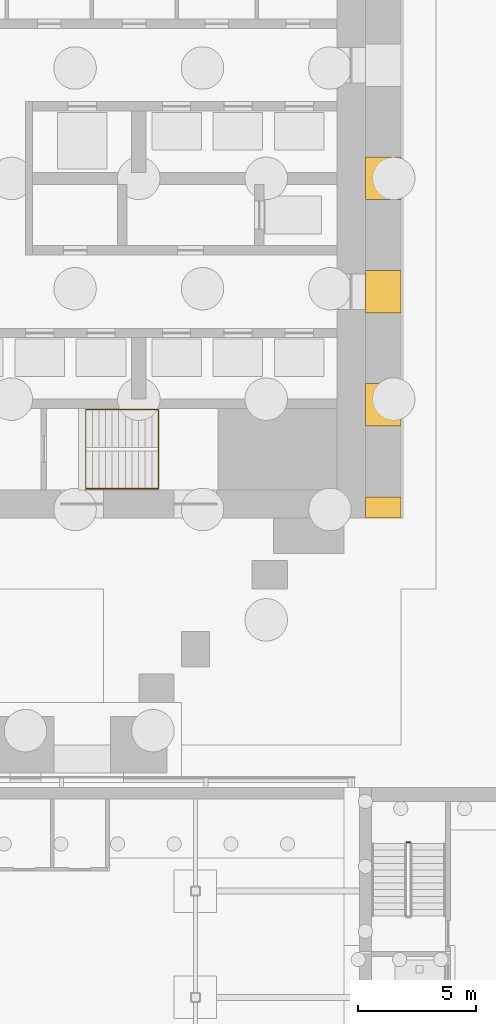
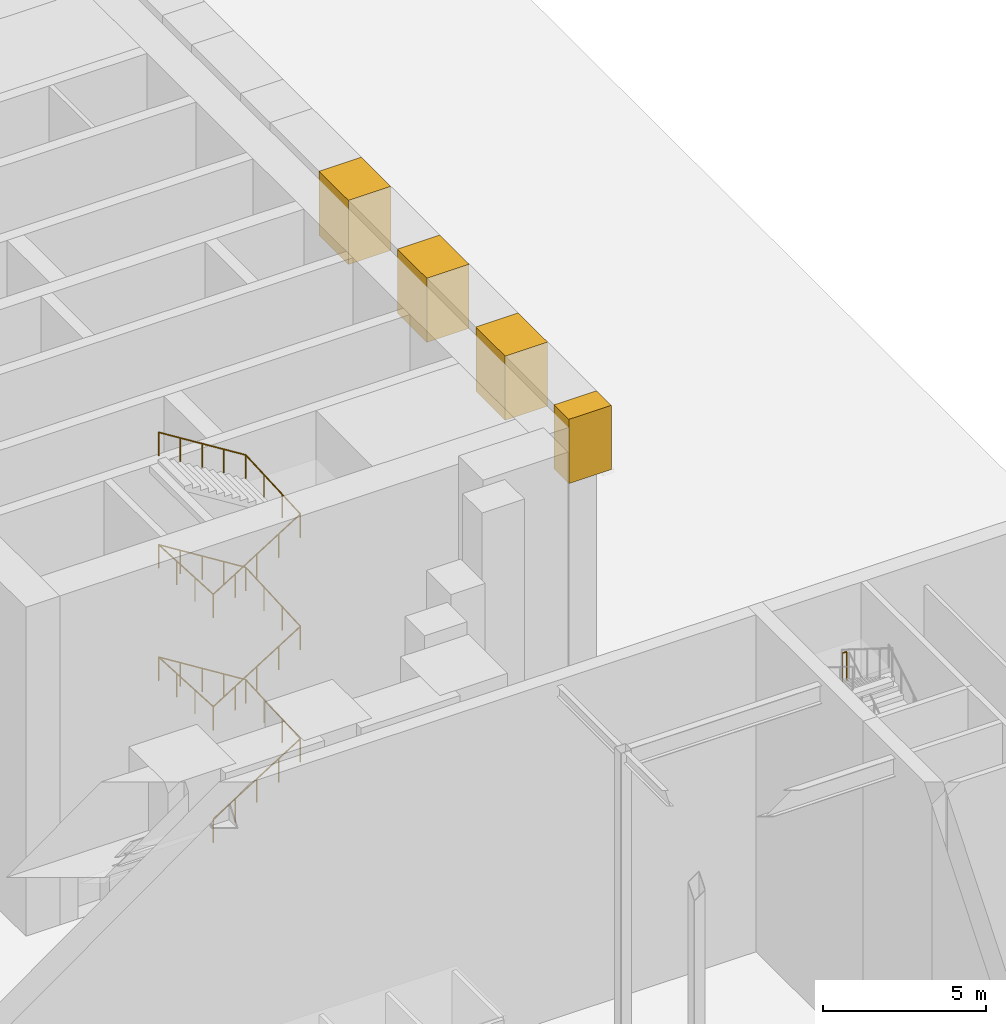
# One storey, part 56 of 58: 4 coverings, 2 railings.
"""IFC4 building model written with IfcOpenShell, lengths in metres."""

import ifcopenshell
import ifcopenshell.guid

model = None  # the IFC model being written
_history = None  # IfcOwnerHistory: only IFC2X3 demands one
_inside = {}  # id of a spatial element -> (the spatial element, [elements in it])
_under = {}  # id of a project, library or spatial element -> (it, [spatial elements below it])
_declared = {}  # id of a project -> (the project, [libraries it declares])
_typed = {}  # id of a type object -> (the type object, [elements of that type])
_made_of = {}  # id of a material, layer set ... -> (it, [elements and type objects made of it])


def new_model(schema):
    """Start an empty IFC model of exactly this schema.

    Asked for "IFC4X3", IfcOpenShell would pick the latest addendum, in which some entities
    have other attributes; the version numbers below select the first issue.
    IFC2X3 requires an IfcOwnerHistory on every rooted entity: one is made here for all.
    """
    global model, _history
    if schema == "IFC4X3":
        model = ifcopenshell.file(schema_version=(4, 3, 0, 0))
    else:
        model = ifcopenshell.file(schema=schema)
    _inside.clear()
    _under.clear()
    _declared.clear()
    _typed.clear()
    _made_of.clear()
    _history = None
    if model.schema == "IFC2X3":
        org = make("IfcOrganization", Name="unknown")
        user = make(
            "IfcPersonAndOrganization",
            ThePerson=make("IfcPerson", FamilyName="unknown"),
            TheOrganization=org,
        )
        app = make(
            "IfcApplication",
            ApplicationDeveloper=org,
            Version="unknown",
            ApplicationFullName="unknown",
            ApplicationIdentifier="unknown",
        )
        _history = make(
            "IfcOwnerHistory",
            OwningUser=user,
            OwningApplication=app,
            ChangeAction="ADDED",
            CreationDate=0,
        )
    return model


def make(cls, **values):
    """One entity of the class cls with the attributes given. An attribute that is None is left unset."""
    return model.create_entity(
        cls, **{name: value for name, value in values.items() if value is not None}
    )


def rooted(cls, **values):
    """An entity with a GlobalId (a new one), such as an element, a storey or a relation."""
    return make(cls, GlobalId=ifcopenshell.guid.new(), OwnerHistory=_history, **values)


def si_unit(unit_type, name, prefix=None):
    """IfcSIUnit, for example si_unit("LENGTHUNIT", "METRE", prefix="MILLI")."""
    return make("IfcSIUnit", UnitType=unit_type, Prefix=prefix, Name=name)


def assignment(units):
    """IfcUnitAssignment: the units of a project."""
    return None if units is None else make("IfcUnitAssignment", Units=units)


def point(xyz):
    """IfcCartesianPoint."""
    return None if xyz is None else make("IfcCartesianPoint", Coordinates=xyz)


def direction(xyz):
    """IfcDirection."""
    return None if xyz is None else make("IfcDirection", DirectionRatios=xyz)


def frame(location, z_axis=None, x_axis=None):
    """IfcAxis2Placement3D, a coordinate frame: its origin and axes. An axis left out is left unset."""
    return make(
        "IfcAxis2Placement3D",
        Location=point(location),
        Axis=direction(z_axis),
        RefDirection=direction(x_axis),
    )


def frame_2d(location, x_axis=None):
    """IfcAxis2Placement2D, a coordinate frame in the plane: its origin and x axis."""
    return make(
        "IfcAxis2Placement2D", Location=point(location), RefDirection=direction(x_axis)
    )


def origin():
    """The frame at (0, 0, 0) with its axes left unset."""
    return frame((0.0, 0.0, 0.0))


def origin_2d():
    """The frame at (0, 0) in the plane with its x axis left unset."""
    return frame_2d((0.0, 0.0))


def place(relative_to, where):
    """IfcLocalPlacement: puts the frame where relative to a parent placement (None: the world)."""
    return make(
        "IfcLocalPlacement", PlacementRelTo=relative_to, RelativePlacement=where
    )


def context(
    kind, dimensions, precision=None, world=None, true_north=None, identifier=None
):
    """IfcGeometricRepresentationContext, for example the 3D "Model" context."""
    return make(
        "IfcGeometricRepresentationContext",
        ContextIdentifier=identifier,
        ContextType=kind,
        CoordinateSpaceDimension=dimensions,
        Precision=precision,
        WorldCoordinateSystem=world,
        TrueNorth=true_north,
    )


def subcontext(parent, identifier, kind, view, scale=None):
    """IfcGeometricRepresentationSubContext, for example "Body" below "Model"."""
    return make(
        "IfcGeometricRepresentationSubContext",
        ContextIdentifier=identifier,
        ContextType=kind,
        ParentContext=parent,
        TargetScale=scale,
        TargetView=view,
    )


def project(units=None, contexts=None):
    """IfcProject with its units and contexts."""
    return rooted(
        "IfcProject",
        Name="project",
        RepresentationContexts=contexts,
        UnitsInContext=assignment(units),
    )


def spatial(cls, under=None, at=None, **own):
    """A site, building, storey or space (cls), placed at a placement, below another one or the project."""
    s = rooted(cls, ObjectPlacement=at, **own)
    if under is not None:
        _under.setdefault(under.id(), (under, []))[1].append(s)
    return s


def polyline(points):
    """IfcPolyline through the points."""
    return make("IfcPolyline", Points=[point(p) for p in points])


def profile(cls, at=None, kind="AREA", **sizes):
    """A parametric profile (cls). Its sizes go by their IFC names, for example OverallWidth=200.0."""
    return make(cls, ProfileType=kind, Position=at, **sizes)


def circle(**sizes):
    """IfcCircleProfileDef."""
    return profile("IfcCircleProfileDef", **sizes)


def outline(outer, holes=None, kind="AREA"):
    """IfcArbitraryClosedProfileDef: a profile drawn as a closed curve; with holes, ...WithVoids."""
    if holes is None:
        return make("IfcArbitraryClosedProfileDef", ProfileType=kind, OuterCurve=outer)
    return make(
        "IfcArbitraryProfileDefWithVoids",
        ProfileType=kind,
        OuterCurve=outer,
        InnerCurves=holes,
    )


def extrude(swept, where, along, depth):
    """IfcExtrudedAreaSolid: the profile swept, set in the frame where, extruded along a direction by depth."""
    return make(
        "IfcExtrudedAreaSolid",
        SweptArea=swept,
        Position=where,
        ExtrudedDirection=direction(along),
        Depth=depth,
    )


def shape(context_of_items, identifier, shape_type, items):
    """IfcShapeRepresentation: the items that make up one representation, for example the "Body"."""
    return make(
        "IfcShapeRepresentation",
        ContextOfItems=context_of_items,
        RepresentationIdentifier=identifier,
        RepresentationType=shape_type,
        Items=items,
    )


def material(Name=None, Category=None):
    """IfcMaterial."""
    return make("IfcMaterial", Name=Name, Category=Category)


def made_of(thing, what):
    """Note that an element or type object is made of a material, layer set ...; save() writes the relation."""
    if what is not None:
        _made_of.setdefault(what.id(), (what, []))[1].append(thing)
    return thing


def type_object(cls, material=None, **own):
    """A type object (cls), such as IfcWallType, which elements share."""
    return made_of(rooted(cls, **own), material)


def element(
    cls,
    number,
    at=None,
    inside=None,
    cuts=None,
    type_object=None,
    material=None,
    context=None,
    identifier="Body",
    shape_type=None,
    held_by="IfcProductDefinitionShape",
    body=None,
    shapes=None,
    **own,
):
    """One element of the class cls, such as IfcWall. Its Tag is "e" and its number.

    at: its placement. inside: the storey or other place that contains it. cuts: it is an
    opening in that element (IfcRelVoidsElement). A single representation is given by context,
    identifier, shape_type and body (its items); several are given by shapes. held_by: the class
    of the entity that holds the representations. save() writes the other relations.
    """
    e = rooted(cls, Tag="e%d" % number, ObjectPlacement=at, **own)
    if body is not None:
        shapes = [shape(context, identifier, shape_type, body)]
    if shapes is not None:
        e.Representation = make(held_by, Representations=shapes)
    if inside is not None:
        _inside.setdefault(inside.id(), (inside, []))[1].append(e)
    if cuts is not None:
        rooted(
            "IfcRelVoidsElement", RelatingBuildingElement=cuts, RelatedOpeningElement=e
        )
    if type_object is not None:
        _typed.setdefault(type_object.id(), (type_object, []))[1].append(e)
    return made_of(e, material)


def aggregate(whole, parts):
    """IfcRelAggregates: a whole, such as a stair, and the parts it consists of."""
    return rooted("IfcRelAggregates", RelatingObject=whole, RelatedObjects=parts)


def save(model, path):
    """Write the relations noted so far, then the file.

    IfcRelAggregates (storeys below a building ...), IfcRelContainedInSpatialStructure (elements
    in a storey), IfcRelDefinesByType, IfcRelAssociatesMaterial and IfcRelDeclares: one each for
    every whole, place, type object, material and project.
    """
    for whole, parts in _under.values():
        aggregate(whole, parts)
    for where, things in _inside.values():
        rooted(
            "IfcRelContainedInSpatialStructure",
            RelatedElements=things,
            RelatingStructure=where,
        )
    for kind, things in _typed.values():
        rooted("IfcRelDefinesByType", RelatedObjects=things, RelatingType=kind)
    for what, things in _made_of.values():
        rooted("IfcRelAssociatesMaterial", RelatedObjects=things, RelatingMaterial=what)
    for by, libraries in _declared.values():
        rooted("IfcRelDeclares", RelatingContext=by, RelatedDefinitions=libraries)
    model.write(path)


model = new_model("IFC4")

# Units and contexts
model_context = context("Model", 3, precision=1e-05, world=origin(), true_north=direction((0.0, 1.0)))
body_context = subcontext(model_context, "Body", "Model", "MODEL_VIEW")
ifc_project = project(units=[si_unit("LENGTHUNIT", "METRE"), si_unit("AREAUNIT", "SQUARE_METRE"), si_unit("VOLUMEUNIT", "CUBIC_METRE"), si_unit("PLANEANGLEUNIT", "RADIAN"), si_unit("MASSUNIT", "GRAM", prefix="KILO")], contexts=[model_context])

# Site, building, storey
site_placement = place(None, origin())
site = spatial("IfcSite", under=ifc_project, at=site_placement, CompositionType="ELEMENT")
building_placement = place(site_placement, origin())
building = spatial("IfcBuilding", under=site, at=building_placement, Name="Baori Bourse Tower", CompositionType="ELEMENT")
storey_placement = place(building_placement, origin())
storey = spatial("IfcBuildingStorey", under=building, at=storey_placement, Name="L00", CompositionType="ELEMENT", Elevation=0.0)

# Railing
ifc_material_1 = material(Name="Powder-coated steel balustrade", Category="steel")
railing_type_1 = type_object("IfcRailingType", Name="Core stair handrail", PredefinedType="HANDRAIL", material=ifc_material_1)
railing_1_placement = place(storey_placement, frame((45.75, 10.85009765625, 0.175048828125)))
element("IfcRailing", 1, at=railing_1_placement, inside=storey, type_object=railing_type_1, Name="L00 ST3 stair handrail 1", PredefinedType="HANDRAIL", context=body_context, shape_type="SweptSolid", body=[
    extrude(circle(Radius=0.02392578125, at=origin_2d()), frame((0.0, 0.0, 0.8759765625), z_axis=(0.847998304005, 0.0, 0.529998940003), x_axis=(0.0, 1.0, 0.0)), (0.0, 0.0, 1.0), 3.632080078125),
    extrude(circle(Radius=0.02392578125, at=origin_2d()), frame((3.080078125, 0.0, 2.80078125), z_axis=(0.0, 0.998641252765, 0.052111882296), x_axis=(-1.0, 0.0, 0.0)), (0.0, 0.0, 1.0), 3.3544921875),
    extrude(circle(Radius=0.02392578125, at=origin_2d()), frame((3.080078125, 3.349853515625, 2.9755859375), z_axis=(-0.847998304005, 0.0, 0.529998940003), x_axis=(0.0, -1.0, 0.0)), (0.0, 0.0, 1.0), 3.632080078125),
    extrude(circle(Radius=0.02392578125, at=origin_2d()), frame((0.0, 3.349853515625, 4.90087890625), z_axis=(0.0, -0.99863746249, 0.052184466191), x_axis=(1.0, 0.0, 0.0)), (0.0, 0.0, 1.0), 3.3544921875),
    extrude(circle(Radius=0.02392578125, at=origin_2d()), frame((0.0, 0.0, 5.07568359375), z_axis=(0.847998304005, 0.0, 0.529998940003), x_axis=(0.0, 1.0, 0.0)), (0.0, 0.0, 1.0), 3.632080078125),
    extrude(circle(Radius=0.02392578125, at=origin_2d()), frame((3.080078125, 0.0, 7.0009765625), z_axis=(0.0, 0.99863746249, 0.052184466191), x_axis=(-1.0, 0.0, 0.0)), (0.0, 0.0, 1.0), 3.3544921875),
    extrude(circle(Radius=0.02392578125, at=origin_2d()), frame((3.080078125, 3.349853515625, 7.17578125), z_axis=(-0.848028513186, 0.0, 0.529950602248), x_axis=(0.0, -1.0, 0.0)), (0.0, 0.0, 1.0), 3.632080078125),
    extrude(circle(Radius=0.02392578125, at=origin_2d()), frame((0.0, 3.349853515625, 9.1005859375), z_axis=(0.0, -0.99863746249, 0.052184466191), x_axis=(1.0, 0.0, 0.0)), (0.0, 0.0, 1.0), 3.3544921875),
    extrude(circle(Radius=0.02392578125, at=origin_2d()), frame((0.0, 0.0, 9.27587890625), z_axis=(0.847998304005, 0.0, 0.529998940003), x_axis=(0.0, 1.0, 0.0)), (0.0, 0.0, 1.0), 3.632080078125),
    extrude(circle(Radius=0.02392578125, at=origin_2d()), frame((3.080078125, 0.0, 11.20068359375), z_axis=(0.0, 0.99863746249, 0.052184466191), x_axis=(-1.0, 0.0, 0.0)), (0.0, 0.0, 1.0), 3.3544921875),
    extrude(circle(Radius=0.02392578125, at=origin_2d()), frame((3.080078125, 3.349853515625, 11.3759765625), z_axis=(-0.847998304005, 0.0, 0.529998940003), x_axis=(0.0, -1.0, 0.0)), (0.0, 0.0, 1.0), 3.632080078125),
    extrude(circle(Radius=0.02099609375, at=origin_2d()), origin(), (0.0, 0.0, 1.0), 0.851806640625),
    extrude(circle(Radius=0.02099609375, at=origin_2d()), frame((0.77001953125, 0.0, 0.481201171875)), (0.0, 0.0, 1.0), 0.851806640625),
    extrude(circle(Radius=0.02099609375, at=origin_2d()), frame((1.5400390625, 0.0, 0.96240234375)), (0.0, 0.0, 1.0), 0.851806640625),
    extrude(circle(Radius=0.02099609375, at=origin_2d()), frame((2.31005859375, 0.0, 1.44384765625)), (0.0, 0.0, 1.0), 0.851806640625),
    extrude(circle(Radius=0.02099609375, at=origin_2d()), frame((3.080078125, 0.0, 1.925048828125)), (0.0, 0.0, 1.0), 0.851806640625),
    extrude(circle(Radius=0.02099609375, at=origin_2d()), frame((3.080078125, 1.11669921875, 1.9833984375)), (0.0, 0.0, 1.0), 0.851806640625),
    extrude(circle(Radius=0.02099609375, at=origin_2d()), frame((3.080078125, 2.233154296875, 2.04150390625)), (0.0, 0.0, 1.0), 0.851806640625),
    extrude(circle(Radius=0.02099609375, at=origin_2d()), frame((3.080078125, 3.349853515625, 2.099853515625)), (0.0, 0.0, 1.0), 0.851806640625),
    extrude(circle(Radius=0.02099609375, at=origin_2d()), frame((2.31005859375, 3.349853515625, 2.5810546875)), (0.0, 0.0, 1.0), 0.851806640625),
    extrude(circle(Radius=0.02099609375, at=origin_2d()), frame((1.5400390625, 3.349853515625, 3.0625)), (0.0, 0.0, 1.0), 0.851806640625),
    extrude(circle(Radius=0.02099609375, at=origin_2d()), frame((0.77001953125, 3.349853515625, 3.543701171875)), (0.0, 0.0, 1.0), 0.851806640625),
    extrude(circle(Radius=0.02099609375, at=origin_2d()), frame((0.0, 3.349853515625, 4.02490234375)), (0.0, 0.0, 1.0), 0.851806640625),
    extrude(circle(Radius=0.02099609375, at=origin_2d()), frame((0.0, 2.233154296875, 4.083251953125)), (0.0, 0.0, 1.0), 0.851806640625),
    extrude(circle(Radius=0.02099609375, at=origin_2d()), frame((0.0, 1.11669921875, 4.1416015625)), (0.0, 0.0, 1.0), 0.851806640625),
    extrude(circle(Radius=0.02099609375, at=origin_2d()), frame((0.0, 0.0, 4.199951171875)), (0.0, 0.0, 1.0), 0.851806640625),
    extrude(circle(Radius=0.02099609375, at=origin_2d()), frame((0.77001953125, 0.0, 4.68115234375)), (0.0, 0.0, 1.0), 0.851806640625),
    extrude(circle(Radius=0.02099609375, at=origin_2d()), frame((1.5400390625, 0.0, 5.16259765625)), (0.0, 0.0, 1.0), 0.851806640625),
    extrude(circle(Radius=0.02099609375, at=origin_2d()), frame((2.31005859375, 0.0, 5.643798828125)), (0.0, 0.0, 1.0), 0.851806640625),
    extrude(circle(Radius=0.02099609375, at=origin_2d()), frame((3.080078125, 0.0, 6.125)), (0.0, 0.0, 1.0), 0.851806640625),
    extrude(circle(Radius=0.02099609375, at=origin_2d()), frame((3.080078125, 1.11669921875, 6.183349609375)), (0.0, 0.0, 1.0), 0.851806640625),
    extrude(circle(Radius=0.02099609375, at=origin_2d()), frame((3.080078125, 2.233154296875, 6.24169921875)), (0.0, 0.0, 1.0), 0.851806640625),
    extrude(circle(Radius=0.02099609375, at=origin_2d()), frame((3.080078125, 3.349853515625, 6.300048828125)), (0.0, 0.0, 1.0), 0.851806640625),
    extrude(circle(Radius=0.02099609375, at=origin_2d()), frame((2.31005859375, 3.349853515625, 6.78125)), (0.0, 0.0, 1.0), 0.851806640625),
    extrude(circle(Radius=0.02099609375, at=origin_2d()), frame((1.5400390625, 3.349853515625, 7.262451171875)), (0.0, 0.0, 1.0), 0.851806640625),
    extrude(circle(Radius=0.02099609375, at=origin_2d()), frame((0.77001953125, 3.349853515625, 7.74365234375)), (0.0, 0.0, 1.0), 0.851806640625),
    extrude(circle(Radius=0.02099609375, at=origin_2d()), frame((0.0, 3.349853515625, 8.224853515625)), (0.0, 0.0, 1.0), 0.851806640625),
    extrude(circle(Radius=0.02099609375, at=origin_2d()), frame((0.0, 2.233154296875, 8.283203125)), (0.0, 0.0, 1.0), 0.851806640625),
    extrude(circle(Radius=0.02099609375, at=origin_2d()), frame((0.0, 1.11669921875, 8.341552734375)), (0.0, 0.0, 1.0), 0.851806640625),
    extrude(circle(Radius=0.02099609375, at=origin_2d()), frame((0.0, 0.0, 8.39990234375)), (0.0, 0.0, 1.0), 0.851806640625),
    extrude(circle(Radius=0.02099609375, at=origin_2d()), frame((0.77001953125, 0.0, 8.881103515625)), (0.0, 0.0, 1.0), 0.851806640625),
    extrude(circle(Radius=0.02099609375, at=origin_2d()), frame((1.5400390625, 0.0, 9.3623046875)), (0.0, 0.0, 1.0), 0.851806640625),
    extrude(circle(Radius=0.02099609375, at=origin_2d()), frame((2.31005859375, 0.0, 9.84375)), (0.0, 0.0, 1.0), 0.851806640625),
    extrude(circle(Radius=0.02099609375, at=origin_2d()), frame((3.080078125, 0.0, 10.324951171875)), (0.0, 0.0, 1.0), 0.851806640625),
    extrude(circle(Radius=0.02099609375, at=origin_2d()), frame((3.080078125, 1.11669921875, 10.38330078125)), (0.0, 0.0, 1.0), 0.851806640625),
    extrude(circle(Radius=0.02099609375, at=origin_2d()), frame((3.080078125, 2.233154296875, 10.441650390625)), (0.0, 0.0, 1.0), 0.851806640625),
    extrude(circle(Radius=0.02099609375, at=origin_2d()), frame((3.080078125, 3.349853515625, 10.5)), (0.0, 0.0, 1.0), 0.851806640625),
    extrude(circle(Radius=0.02099609375, at=origin_2d()), frame((2.31005859375, 3.349853515625, 10.981201171875)), (0.0, 0.0, 1.0), 0.851806640625),
    extrude(circle(Radius=0.02099609375, at=origin_2d()), frame((1.5400390625, 3.349853515625, 11.46240234375)), (0.0, 0.0, 1.0), 0.851806640625),
    extrude(circle(Radius=0.02099609375, at=origin_2d()), frame((0.77001953125, 3.349853515625, 11.94384765625)), (0.0, 0.0, 1.0), 0.851806640625),
    extrude(circle(Radius=0.02099609375, at=origin_2d()), frame((0.0, 3.349853515625, 12.425048828125)), (0.0, 0.0, 1.0), 0.851806640625),
])

# Coverings
ifc_material_2 = material(Name="Pale anodised aluminium", Category="aluminium")
covering_type = type_object("IfcCoveringType", Name="ED4 Stilt fascia band", PredefinedType="CLADDING", material=ifc_material_2)
covering_1_placement = place(storey_placement, frame((0.0, 0.0, 10.199951171875)))
element("IfcCovering", 2, at=covering_1_placement, inside=storey, type_object=covering_type, Name="Stilt fascia band L00 2", PredefinedType="CLADDING", context=body_context, shape_type="SweptSolid", body=[
    extrude(outline(polyline([(57.60009765625, 15.300048828125), (57.60009765625, 13.5), (59.10009765625, 13.5), (59.10009765625, 15.300048828125), (57.60009765625, 15.300048828125)])), origin(), (0.0, 0.0, 1.0), 2.400146484375),
])
covering_2_placement = place(storey_placement, frame((0.0, 0.0, 10.199951171875)))
element("IfcCovering", 3, at=covering_2_placement, inside=storey, type_object=covering_type, Name="Stilt fascia band L00 3", PredefinedType="CLADDING", context=body_context, shape_type="SweptSolid", body=[
    extrude(outline(polyline([(57.60009765625, 20.10009765625), (57.60009765625, 18.300048828125), (59.10009765625, 18.300048828125), (59.10009765625, 20.10009765625), (57.60009765625, 20.10009765625)])), origin(), (0.0, 0.0, 1.0), 2.400146484375),
])
covering_3_placement = place(storey_placement, frame((0.0, 0.0, 10.199951171875)))
element("IfcCovering", 4, at=covering_3_placement, inside=storey, type_object=covering_type, Name="Stilt fascia band L00 4", PredefinedType="CLADDING", context=body_context, shape_type="SweptSolid", body=[
    extrude(outline(polyline([(57.60009765625, 24.89990234375), (57.60009765625, 23.10009765625), (59.10009765625, 23.10009765625), (59.10009765625, 24.89990234375), (57.60009765625, 24.89990234375)])), origin(), (0.0, 0.0, 1.0), 2.400146484375),
])
covering_4_placement = place(storey_placement, frame((0.0, 0.0, 10.199951171875)))
element("IfcCovering", 5, at=covering_4_placement, inside=storey, type_object=covering_type, Name="Stilt fascia band L00 6", PredefinedType="CLADDING", context=body_context, shape_type="SweptSolid", body=[
    extrude(outline(polyline([(57.60009765625, 10.5), (57.60009765625, 9.60009765625), (59.10009765625, 9.60009765625), (59.10009765625, 10.5), (57.60009765625, 10.5)])), origin(), (0.0, 0.0, 1.0), 2.400146484375),
])

# Railing
ifc_material_3 = material(Name="Stainless steel AISI 316", Category="steel")
railing_type_2 = type_object("IfcRailingType", Name="Wing guard 1100", PredefinedType="GUARDRAIL", material=ifc_material_3)
railing_2_placement = place(storey_placement, frame((59.5, -4.1298828125, 10.5)))
element("IfcRailing", 6, at=railing_2_placement, inside=storey, type_object=railing_type_2, Name="L00 E-STA stair guard 10", PredefinedType="GUARDRAIL", context=body_context, shape_type="SweptSolid", body=[
    extrude(circle(Radius=0.02392578125, at=origin_2d()), frame((0.0, 0.0, 1.076171875), z_axis=(-1.0, 0.0, 0.0), x_axis=(0.0, -1.0, 0.0)), (0.0, 0.0, 1.0), 0.14990234375),
    extrude(circle(Radius=0.02099609375, at=origin_2d()), origin(), (0.0, 0.0, 1.0), 1.052001953125),
    extrude(circle(Radius=0.02099609375, at=origin_2d()), frame((-0.14990234375, 0.0, 0.0)), (0.0, 0.0, 1.0), 1.052001953125),
])

save(model, "model.ifc")
